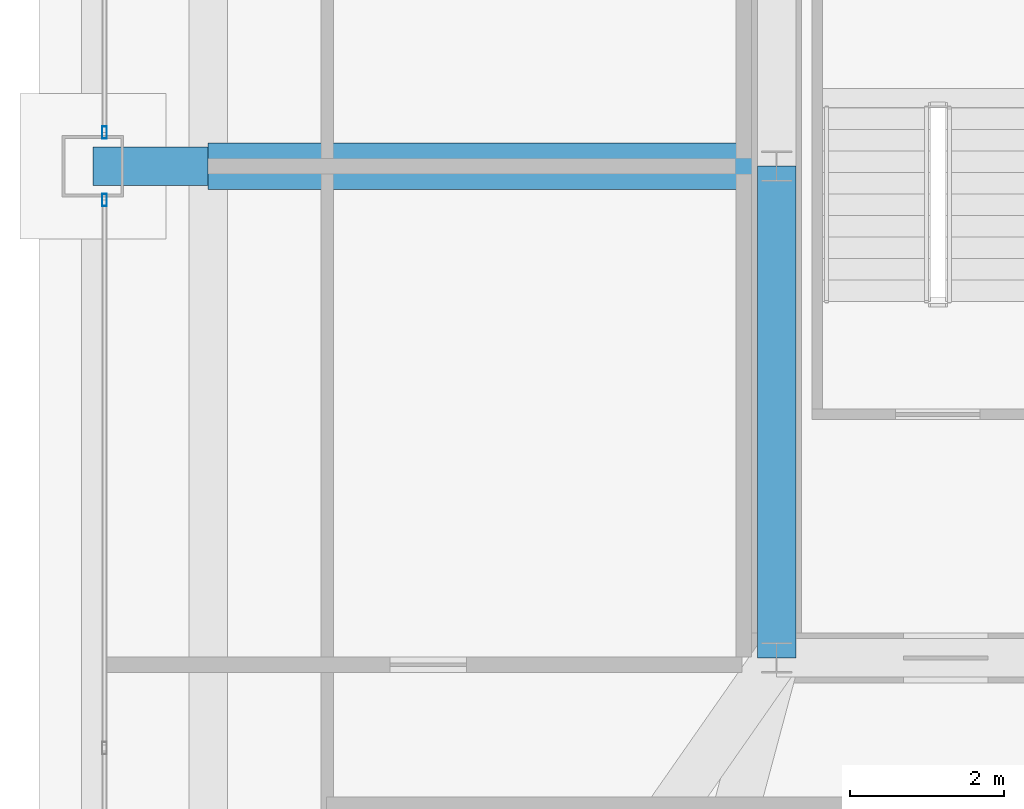
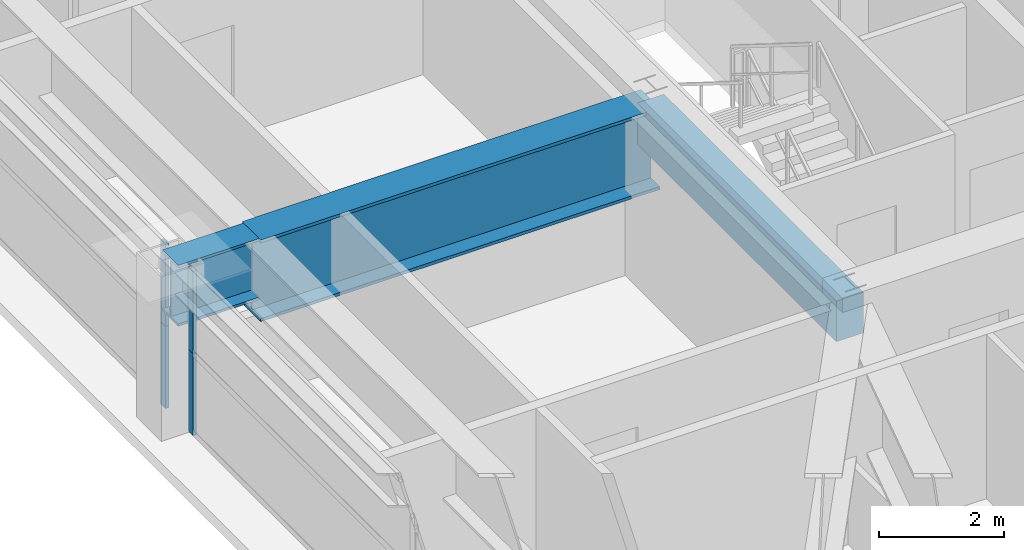
# One storey, part 12 of 39: 4 members, 3 beams, 2 elements without a shape of their own.
"""IFC4 building model written with IfcOpenShell, lengths in metres."""

from ifc_helpers import new_model, si_unit, direction, frame, origin, origin_2d, place, context, subcontext, project, spatial, rectangle, hollow_rectangle, i_section, extrude, source, transform, mapped, material, layer, layer_set, material_profile, profile_set, type_object, element, aggregate, save


model = new_model("IFC4")

# Units and contexts
model_context = context("Model", 3, precision=1e-05, world=origin(), true_north=direction((0.0, 1.0)))
body_context = subcontext(model_context, "Body", "Model", "MODEL_VIEW")
ifc_project = project(units=[si_unit("LENGTHUNIT", "METRE"), si_unit("AREAUNIT", "SQUARE_METRE"), si_unit("VOLUMEUNIT", "CUBIC_METRE"), si_unit("PLANEANGLEUNIT", "RADIAN"), si_unit("MASSUNIT", "GRAM", prefix="KILO"), si_unit("THERMODYNAMICTEMPERATUREUNIT", "KELVIN"), si_unit("POWERUNIT", "WATT")], contexts=[model_context])

# Site, building, storey
site_placement = place(None, origin())
site = spatial("IfcSite", under=ifc_project, at=site_placement, CompositionType="ELEMENT")
building_placement = place(site_placement, origin())
building = spatial("IfcBuilding", under=site, at=building_placement, Name="Yuzanri Waterfront Tower", CompositionType="ELEMENT")
storey_placement = place(building_placement, frame((0.0, 0.0, 216.0)))
storey = spatial("IfcBuildingStorey", under=building, at=storey_placement, Name="L57", CompositionType="ELEMENT", Elevation=216.0)

# Beams
ifc_material_1 = material(Name="Steel Q420GJC", Category="steel")
ifc_material_profile_1 = material_profile(ifc_material_1, i_section(OverallWidth=0.5, OverallDepth=1.199951171875, WebThickness=0.028076171875, FlangeThickness=0.050048828125, at=origin_2d()), Name="PG 1200x500x28x50")
ifc_profile_set_1 = profile_set([ifc_material_profile_1], Name="Steel Q420GJC")
beam_type_1 = type_object("IfcBeamType", Name="Setback Transfer Girder Q420GJC PG 1200x500", PredefinedType="USERDEFINED", material=ifc_profile_set_1)
shared_shape_1 = source(origin(), body_context, "Body", "SweptSolid", [
    extrude(i_section(OverallWidth=0.5, OverallDepth=1.199951171875, WebThickness=0.028076171875, FlangeThickness=0.050048828125, at=origin_2d()), origin(), (0.0, 0.0, 1.0), 1.5),
])
beam_1_placement = place(storey_placement, frame((16.39990234375, 25.800048828125, 2.6201171875), z_axis=(-1.0, 0.0, 0.0), x_axis=(0.0, -1.0, 0.0)))
element("IfcBeam", 1, at=beam_1_placement, inside=storey, type_object=beam_type_1, Name="L57 Setback Step Transfer W2", ObjectType="GIRDER", PredefinedType="USERDEFINED", context=body_context, shape_type="MappedRepresentation", body=[
    mapped(shared_shape_1, transform((0.0, 0.0, 0.0), scale=1.0)),
])
ifc_material_2 = material(Name="Concrete C50", Category="concrete")
ifc_material_profile_2 = material_profile(ifc_material_2, rectangle(XDim=0.5, YDim=0.800048828125, at=origin_2d()), Name="RC 500x800")
ifc_profile_set_2 = profile_set([ifc_material_profile_2], Name="Concrete C50")
beam_type_2 = type_object("IfcBeamType", Name="Core Coupling Lintel Concrete C50 500x800", PredefinedType="LINTEL", material=ifc_profile_set_2)
shared_shape_2 = source(origin(), body_context, "Body", "SweptSolid", [
    extrude(rectangle(XDim=0.5, YDim=0.800048828125, at=origin_2d()), origin(), (0.0, 0.0, 1.0), 6.400146484375),
])
beam_2_placement = place(storey_placement, frame((23.800048828125, 19.39990234375, 2.820068359375), z_axis=(0.0, 1.0, 0.0), x_axis=(-1.0, 0.0, 0.0)))
element("IfcBeam", 2, at=beam_2_placement, inside=storey, type_object=beam_type_2, Name="L57 Core Tie Beam CW1", PredefinedType="LINTEL", context=body_context, shape_type="MappedRepresentation", body=[
    mapped(shared_shape_2, transform((0.0, 0.0, 0.0), scale=1.0)),
])
ifc_material_3 = material(Name="Steel Q420GJC", Category="steel")
ifc_material_profile_3 = material_profile(ifc_material_3, i_section(OverallWidth=0.60009765625, OverallDepth=1.60009765625, WebThickness=0.031982421875, FlangeThickness=0.06005859375, at=origin_2d()), Name="PG 1600x600x32x60")
ifc_profile_set_3 = profile_set([ifc_material_profile_3], Name="Steel Q420GJC")
beam_type_3 = type_object("IfcBeamType", Name="Ballroom Transfer Girder Q420GJC PG 1600x600", PredefinedType="USERDEFINED", material=ifc_profile_set_3)
shared_shape_3 = source(origin(), body_context, "Body", "SweptSolid", [
    extrude(i_section(OverallWidth=0.60009765625, OverallDepth=1.60009765625, WebThickness=0.031982421875, FlangeThickness=0.06005859375, at=origin_2d()), origin(), (0.0, 0.0, 1.0), 7.400146484375),
])
beam_3_placement = place(storey_placement, frame((23.800048828125, 25.800048828125, 2.419921875), z_axis=(-1.0, 0.0, 0.0), x_axis=(0.0, -1.0, 0.0)))
element("IfcBeam", 3, at=beam_3_placement, inside=storey, type_object=beam_type_3, Name="L57 Setback Inner Transfer W2", ObjectType="GIRDER", PredefinedType="USERDEFINED", context=body_context, shape_type="MappedRepresentation", body=[
    mapped(shared_shape_3, transform((0.0, 0.0, 0.0), scale=1.0)),
])

# Curtain wall, members
ifc_material_4 = material(Name="Anodized Architectural Bronze", Category="metal")
ifc_layer = layer(ifc_material_4, 0.159912109375)
ifc_layer_set = layer_set([ifc_layer], Name="Anodized Architectural Bronze")
curtain_wall_type = type_object("IfcCurtainWallType", Name="Anodized Bronze Mid-Rise Residential Acoustic Unitized Curtain Wall 7200", PredefinedType="NOTDEFINED", material=ifc_layer_set)
curtain_wall_1_placement = place(storey_placement, origin())
curtain_wall_1 = element("IfcCurtainWall", 4, at=curtain_wall_1_placement, inside=storey, type_object=curtain_wall_type, Name="L57 Curtain Wall CW-L57-WL", PredefinedType="NOTDEFINED")
ifc_material_5 = material(Name="Anodized Architectural Bronze", Category="metal")
ifc_material_profile_4 = material_profile(ifc_material_5, hollow_rectangle(XDim=0.06494140625, YDim=0.159912109375, WallThickness=0.00341796875, at=origin_2d()), Name="CWM 65x160")
ifc_profile_set_4 = profile_set([ifc_material_profile_4], Name="Anodized Architectural Bronze")
member_type = type_object("IfcMemberType", Name="Anodized Bronze Upper-Zone Curtain-Wall Mullion 65x160", PredefinedType="MULLION", material=ifc_profile_set_4)
shared_shape_4 = source(origin(), body_context, "Body", "SweptSolid", [
    extrude(hollow_rectangle(XDim=0.06494140625, YDim=0.159912109375, WallThickness=0.00341796875, at=origin_2d()), origin(), (0.0, 0.0, 1.0), 1.60791015625),
])
member_1_placement = place(storey_placement, frame((15.050048828125, 25.360107421875, 0.0), z_axis=(0.0, 0.0, 1.0), x_axis=(1.0, 0.0, 0.0)))
member_1 = element("IfcMember", 5, at=member_1_placement, type_object=member_type, Name="CW-L57-WL Lower Mullion 02", PredefinedType="MULLION", context=body_context, shape_type="MappedRepresentation", body=[
    mapped(shared_shape_4, transform((0.0, 0.0, 0.0), scale=1.0)),
])
member_2_placement = place(storey_placement, frame((15.050048828125, 25.360107421875, 1.612060546875), z_axis=(0.0, 0.0, 1.0), x_axis=(1.0, 0.0, 0.0)))
member_2 = element("IfcMember", 6, at=member_2_placement, type_object=member_type, Name="CW-L57-WL Upper Mullion 02", PredefinedType="MULLION", context=body_context, shape_type="MappedRepresentation", body=[
    mapped(shared_shape_4, transform((0.0, 0.0, 0.0), scale=1.0)),
])
aggregate(curtain_wall_1, [member_1, member_2])

curtain_wall_2_placement = place(storey_placement, origin())
curtain_wall_2 = element("IfcCurtainWall", 7, at=curtain_wall_2_placement, inside=storey, type_object=curtain_wall_type, Name="L57 Curtain Wall CW-L57-WR", PredefinedType="NOTDEFINED")
member_3_placement = place(storey_placement, frame((15.050048828125, 26.239990234375, 0.0), z_axis=(0.0, 0.0, 1.0), x_axis=(1.0, 0.0, 0.0)))
member_3 = element("IfcMember", 8, at=member_3_placement, type_object=member_type, Name="CW-L57-WR Lower Mullion 00", PredefinedType="MULLION", context=body_context, shape_type="MappedRepresentation", body=[
    mapped(shared_shape_4, transform((0.0, 0.0, 0.0), scale=1.0)),
])
member_4_placement = place(storey_placement, frame((15.050048828125, 26.239990234375, 1.612060546875), z_axis=(0.0, 0.0, 1.0), x_axis=(1.0, 0.0, 0.0)))
member_4 = element("IfcMember", 9, at=member_4_placement, type_object=member_type, Name="CW-L57-WR Upper Mullion 00", PredefinedType="MULLION", context=body_context, shape_type="MappedRepresentation", body=[
    mapped(shared_shape_4, transform((0.0, 0.0, 0.0), scale=1.0)),
])
aggregate(curtain_wall_2, [member_3, member_4])

save(model, "model.ifc")
